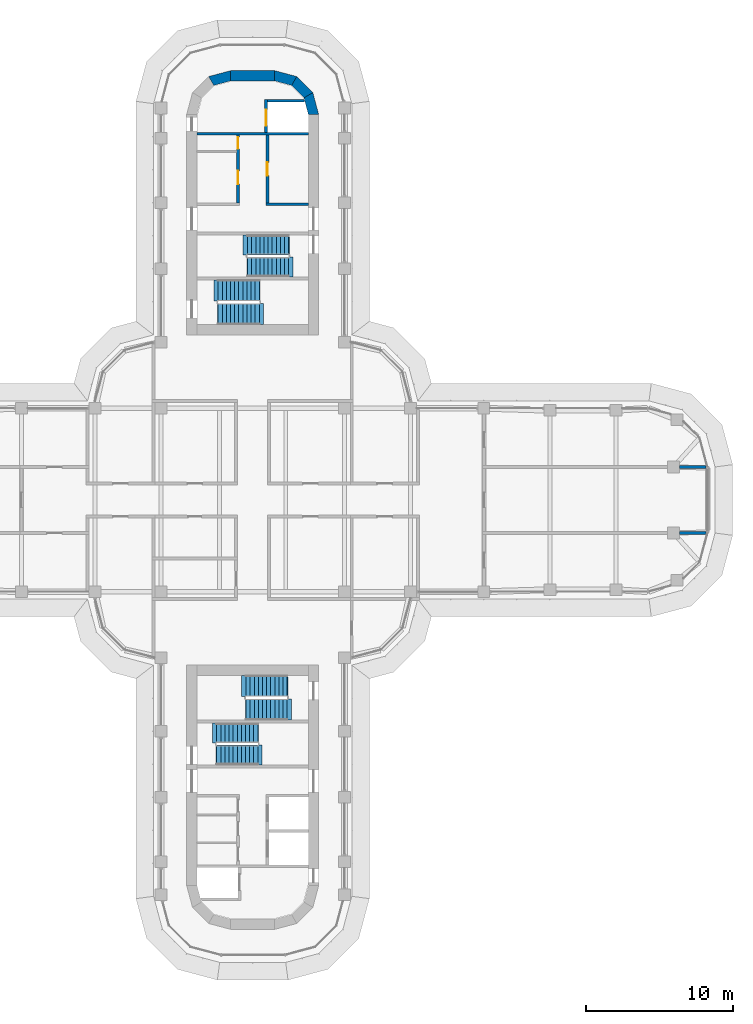
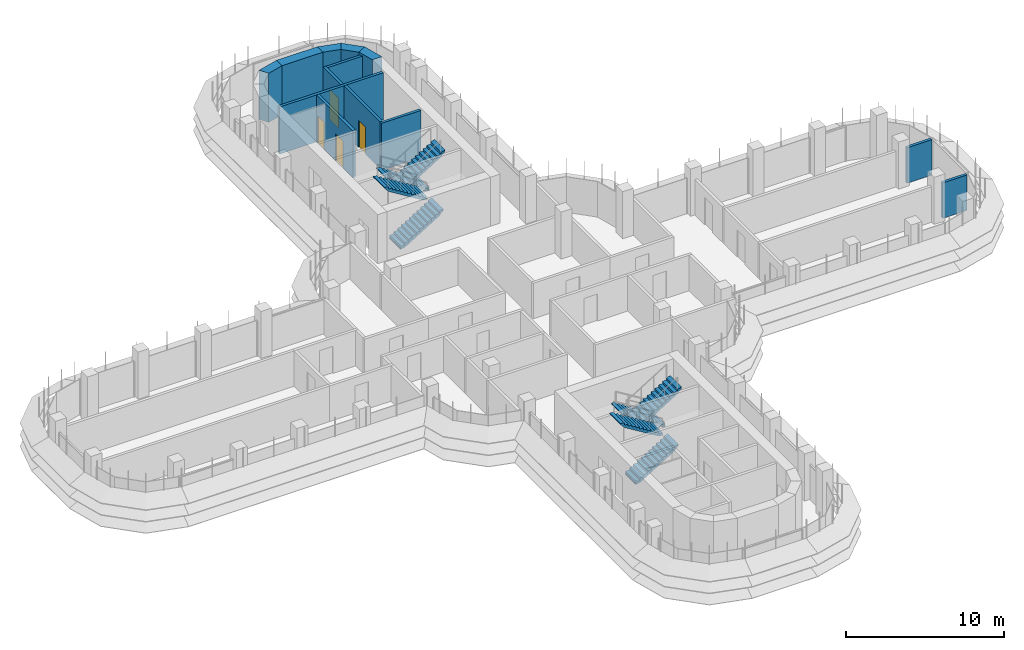
# One storey, part 15 of 19: 13 walls, 8 stair flights, 4 doors, 4 openings, 4 elements without a shape of their own.
"""IFC4 building model written with IfcOpenShell, lengths in metres."""

import ifcopenshell
import ifcopenshell.guid

model = None  # the IFC model being written
_history = None  # IfcOwnerHistory: only IFC2X3 demands one
_inside = {}  # id of a spatial element -> (the spatial element, [elements in it])
_under = {}  # id of a project, library or spatial element -> (it, [spatial elements below it])
_declared = {}  # id of a project -> (the project, [libraries it declares])
_typed = {}  # id of a type object -> (the type object, [elements of that type])
_made_of = {}  # id of a material, layer set ... -> (it, [elements and type objects made of it])


def new_model(schema):
    """Start an empty IFC model of exactly this schema.

    Asked for "IFC4X3", IfcOpenShell would pick the latest addendum, in which some entities
    have other attributes; the version numbers below select the first issue.
    IFC2X3 requires an IfcOwnerHistory on every rooted entity: one is made here for all.
    """
    global model, _history
    if schema == "IFC4X3":
        model = ifcopenshell.file(schema_version=(4, 3, 0, 0))
    else:
        model = ifcopenshell.file(schema=schema)
    _inside.clear()
    _under.clear()
    _declared.clear()
    _typed.clear()
    _made_of.clear()
    _history = None
    if model.schema == "IFC2X3":
        org = make("IfcOrganization", Name="unknown")
        user = make(
            "IfcPersonAndOrganization",
            ThePerson=make("IfcPerson", FamilyName="unknown"),
            TheOrganization=org,
        )
        app = make(
            "IfcApplication",
            ApplicationDeveloper=org,
            Version="unknown",
            ApplicationFullName="unknown",
            ApplicationIdentifier="unknown",
        )
        _history = make(
            "IfcOwnerHistory",
            OwningUser=user,
            OwningApplication=app,
            ChangeAction="ADDED",
            CreationDate=0,
        )
    return model


def make(cls, **values):
    """One entity of the class cls with the attributes given. An attribute that is None is left unset."""
    return model.create_entity(
        cls, **{name: value for name, value in values.items() if value is not None}
    )


def rooted(cls, **values):
    """An entity with a GlobalId (a new one), such as an element, a storey or a relation."""
    return make(cls, GlobalId=ifcopenshell.guid.new(), OwnerHistory=_history, **values)


def si_unit(unit_type, name, prefix=None):
    """IfcSIUnit, for example si_unit("LENGTHUNIT", "METRE", prefix="MILLI")."""
    return make("IfcSIUnit", UnitType=unit_type, Prefix=prefix, Name=name)


def assignment(units):
    """IfcUnitAssignment: the units of a project."""
    return None if units is None else make("IfcUnitAssignment", Units=units)


def point(xyz):
    """IfcCartesianPoint."""
    return None if xyz is None else make("IfcCartesianPoint", Coordinates=xyz)


def direction(xyz):
    """IfcDirection."""
    return None if xyz is None else make("IfcDirection", DirectionRatios=xyz)


def frame(location, z_axis=None, x_axis=None):
    """IfcAxis2Placement3D, a coordinate frame: its origin and axes. An axis left out is left unset."""
    return make(
        "IfcAxis2Placement3D",
        Location=point(location),
        Axis=direction(z_axis),
        RefDirection=direction(x_axis),
    )


def frame_2d(location, x_axis=None):
    """IfcAxis2Placement2D, a coordinate frame in the plane: its origin and x axis."""
    return make(
        "IfcAxis2Placement2D", Location=point(location), RefDirection=direction(x_axis)
    )


def origin():
    """The frame at (0, 0, 0) with its axes left unset."""
    return frame((0.0, 0.0, 0.0))


def place(relative_to, where):
    """IfcLocalPlacement: puts the frame where relative to a parent placement (None: the world)."""
    return make(
        "IfcLocalPlacement", PlacementRelTo=relative_to, RelativePlacement=where
    )


def context(
    kind, dimensions, precision=None, world=None, true_north=None, identifier=None
):
    """IfcGeometricRepresentationContext, for example the 3D "Model" context."""
    return make(
        "IfcGeometricRepresentationContext",
        ContextIdentifier=identifier,
        ContextType=kind,
        CoordinateSpaceDimension=dimensions,
        Precision=precision,
        WorldCoordinateSystem=world,
        TrueNorth=true_north,
    )


def subcontext(parent, identifier, kind, view, scale=None):
    """IfcGeometricRepresentationSubContext, for example "Body" below "Model"."""
    return make(
        "IfcGeometricRepresentationSubContext",
        ContextIdentifier=identifier,
        ContextType=kind,
        ParentContext=parent,
        TargetScale=scale,
        TargetView=view,
    )


def project(units=None, contexts=None):
    """IfcProject with its units and contexts."""
    return rooted(
        "IfcProject",
        Name="project",
        RepresentationContexts=contexts,
        UnitsInContext=assignment(units),
    )


def spatial(cls, under=None, at=None, **own):
    """A site, building, storey or space (cls), placed at a placement, below another one or the project."""
    s = rooted(cls, ObjectPlacement=at, **own)
    if under is not None:
        _under.setdefault(under.id(), (under, []))[1].append(s)
    return s


def polyline(points):
    """IfcPolyline through the points."""
    return make("IfcPolyline", Points=[point(p) for p in points])


def profile(cls, at=None, kind="AREA", **sizes):
    """A parametric profile (cls). Its sizes go by their IFC names, for example OverallWidth=200.0."""
    return make(cls, ProfileType=kind, Position=at, **sizes)


def rectangle(**sizes):
    """IfcRectangleProfileDef."""
    return profile("IfcRectangleProfileDef", **sizes)


def outline(outer, holes=None, kind="AREA"):
    """IfcArbitraryClosedProfileDef: a profile drawn as a closed curve; with holes, ...WithVoids."""
    if holes is None:
        return make("IfcArbitraryClosedProfileDef", ProfileType=kind, OuterCurve=outer)
    return make(
        "IfcArbitraryProfileDefWithVoids",
        ProfileType=kind,
        OuterCurve=outer,
        InnerCurves=holes,
    )


def extrude(swept, where, along, depth):
    """IfcExtrudedAreaSolid: the profile swept, set in the frame where, extruded along a direction by depth."""
    return make(
        "IfcExtrudedAreaSolid",
        SweptArea=swept,
        Position=where,
        ExtrudedDirection=direction(along),
        Depth=depth,
    )


def shape(context_of_items, identifier, shape_type, items):
    """IfcShapeRepresentation: the items that make up one representation, for example the "Body"."""
    return make(
        "IfcShapeRepresentation",
        ContextOfItems=context_of_items,
        RepresentationIdentifier=identifier,
        RepresentationType=shape_type,
        Items=items,
    )


def material(Name=None, Category=None):
    """IfcMaterial."""
    return make("IfcMaterial", Name=Name, Category=Category)


def layer(
    of_material, thickness, ventilated=None, Name=None, Category=None, Priority=None
):
    """IfcMaterialLayer: one layer of a wall or slab, of a material (None: an air gap)."""
    return make(
        "IfcMaterialLayer",
        Material=of_material,
        LayerThickness=thickness,
        IsVentilated=ventilated,
        Name=Name,
        Category=Category,
        Priority=Priority,
    )


def layer_set(layers, Name=None):
    """IfcMaterialLayerSet."""
    return make("IfcMaterialLayerSet", MaterialLayers=layers, LayerSetName=Name)


def made_of(thing, what):
    """Note that an element or type object is made of a material, layer set ...; save() writes the relation."""
    if what is not None:
        _made_of.setdefault(what.id(), (what, []))[1].append(thing)
    return thing


def type_object(cls, material=None, **own):
    """A type object (cls), such as IfcWallType, which elements share."""
    return made_of(rooted(cls, **own), material)


def element(
    cls,
    number,
    at=None,
    inside=None,
    cuts=None,
    type_object=None,
    material=None,
    context=None,
    identifier="Body",
    shape_type=None,
    held_by="IfcProductDefinitionShape",
    body=None,
    shapes=None,
    **own,
):
    """One element of the class cls, such as IfcWall. Its Tag is "e" and its number.

    at: its placement. inside: the storey or other place that contains it. cuts: it is an
    opening in that element (IfcRelVoidsElement). A single representation is given by context,
    identifier, shape_type and body (its items); several are given by shapes. held_by: the class
    of the entity that holds the representations. save() writes the other relations.
    """
    e = rooted(cls, Tag="e%d" % number, ObjectPlacement=at, **own)
    if body is not None:
        shapes = [shape(context, identifier, shape_type, body)]
    if shapes is not None:
        e.Representation = make(held_by, Representations=shapes)
    if inside is not None:
        _inside.setdefault(inside.id(), (inside, []))[1].append(e)
    if cuts is not None:
        rooted(
            "IfcRelVoidsElement", RelatingBuildingElement=cuts, RelatedOpeningElement=e
        )
    if type_object is not None:
        _typed.setdefault(type_object.id(), (type_object, []))[1].append(e)
    return made_of(e, material)


def fill(opening, filler):
    """IfcRelFillsElement: the door or window that sits in an opening."""
    return rooted(
        "IfcRelFillsElement",
        RelatingOpeningElement=opening,
        RelatedBuildingElement=filler,
    )


def aggregate(whole, parts):
    """IfcRelAggregates: a whole, such as a stair, and the parts it consists of."""
    return rooted("IfcRelAggregates", RelatingObject=whole, RelatedObjects=parts)


def save(model, path):
    """Write the relations noted so far, then the file.

    IfcRelAggregates (storeys below a building ...), IfcRelContainedInSpatialStructure (elements
    in a storey), IfcRelDefinesByType, IfcRelAssociatesMaterial and IfcRelDeclares: one each for
    every whole, place, type object, material and project.
    """
    for whole, parts in _under.values():
        aggregate(whole, parts)
    for where, things in _inside.values():
        rooted(
            "IfcRelContainedInSpatialStructure",
            RelatedElements=things,
            RelatingStructure=where,
        )
    for kind, things in _typed.values():
        rooted("IfcRelDefinesByType", RelatedObjects=things, RelatingType=kind)
    for what, things in _made_of.values():
        rooted("IfcRelAssociatesMaterial", RelatedObjects=things, RelatingMaterial=what)
    for by, libraries in _declared.values():
        rooted("IfcRelDeclares", RelatingContext=by, RelatedDefinitions=libraries)
    model.write(path)


model = new_model("IFC4")

# Units and contexts
model_context = context("Model", 3, precision=1e-05, world=origin(), true_north=direction((0.0, 1.0)))
body_context = subcontext(model_context, "Body", "Model", "MODEL_VIEW")
ifc_project = project(units=[si_unit("LENGTHUNIT", "METRE"), si_unit("AREAUNIT", "SQUARE_METRE"), si_unit("VOLUMEUNIT", "CUBIC_METRE"), si_unit("PLANEANGLEUNIT", "RADIAN"), si_unit("MASSUNIT", "GRAM", prefix="KILO")], contexts=[model_context])

# Site, building, storey
site_placement = place(None, origin())
site = spatial("IfcSite", under=ifc_project, at=site_placement, CompositionType="ELEMENT")
building_placement = place(site_placement, origin())
building = spatial("IfcBuilding", under=site, at=building_placement, Name="Zarbagh Exchange Tower", CompositionType="ELEMENT")
storey_placement = place(building_placement, frame((0.0, 0.0, 171.39990234375)))
storey = spatial("IfcBuildingStorey", under=building, at=storey_placement, Name="L41", CompositionType="ELEMENT", Elevation=171.39990234375)

# Walls
ifc_material_1 = material(Name="Fire-rated plasterboard partition")
ifc_layer_1 = layer(ifc_material_1, 0.199951171875)
ifc_layer_set_1 = layer_set([ifc_layer_1], Name="RATED PARTITION 200")
wall_type_1 = type_object("IfcWallType", Name="RATED PARTITION 200", PredefinedType="PARTITIONING", material=ifc_layer_set_1)
for number, where, z_axis, x_axis, name in (
    (1, (29.070068359375, -2.25, 0.0), (0.0, 0.0, 1.0), (1.0, 0.0, 0.0), "Partition W-1839"),
    (2, (29.070068359375, 2.25, 0.0), (0.0, 0.0, 1.0), (1.0, 0.0, 0.0), "Partition W-1841"),
):
    element("IfcWall", number, at=place(storey_placement, frame(where, z_axis=z_axis, x_axis=x_axis)), inside=storey, type_object=wall_type_1, Name=name, PredefinedType="PARTITIONING", context=body_context, shape_type="SweptSolid", body=[
        extrude(rectangle(XDim=1.809814453125, YDim=0.199951171875, at=frame_2d((0.90478515625, 0.0))), origin(), (0.0, 0.0, 1.0), 2.75),
    ])
ifc_material_2 = material(Name="Concrete C50/60", Category="concrete")
ifc_layer_2 = layer(ifc_material_2, 0.699951171875)
ifc_layer_set_2 = layer_set([ifc_layer_2], Name="RC core corner wall 700 C50/60")
wall_type_2 = type_object("IfcWallType", Name="RC core corner wall 700 C50/60", PredefinedType="SHEAR", material=ifc_layer_set_2)
wall_1_placement = place(storey_placement, origin())
element("IfcWall", 3, at=wall_1_placement, inside=storey, type_object=wall_type_2, Name="CW6 core N corner W", PredefinedType="SHEAR", context=body_context, shape_type="SweptSolid", body=[
    extrude(outline(polyline([(-3.0, 28.84814453125), (-1.5, 29.25), (-1.5, 28.550048828125), (-2.64990234375, 28.241943359375), (-3.0, 28.84814453125)])), origin(), (0.0, 0.0, 1.0), 3.800048828125),
])
wall_2_placement = place(storey_placement, origin())
element("IfcWall", 4, at=wall_2_placement, inside=storey, type_object=wall_type_2, Name="CW6 core N corner E", PredefinedType="SHEAR", context=body_context, shape_type="SweptSolid", body=[
    extrude(outline(polyline([(4.5, 26.25), (4.09814453125, 27.75), (3.491943359375, 27.39990234375), (3.800048828125, 26.25), (4.5, 26.25)])), origin(), (0.0, 0.0, 1.0), 3.800048828125),
])
wall_3_placement = place(storey_placement, origin())
element("IfcWall", 5, at=wall_3_placement, inside=storey, type_object=wall_type_2, Name="CW6 core N corner E", PredefinedType="SHEAR", context=body_context, shape_type="SweptSolid", body=[
    extrude(outline(polyline([(4.09814453125, 27.75), (3.0, 28.84814453125), (2.64990234375, 28.241943359375), (3.491943359375, 27.39990234375), (4.09814453125, 27.75)])), origin(), (0.0, 0.0, 1.0), 3.800048828125),
])
wall_4_placement = place(storey_placement, origin())
element("IfcWall", 6, at=wall_4_placement, inside=storey, type_object=wall_type_2, Name="CW6 core N corner E", PredefinedType="SHEAR", context=body_context, shape_type="SweptSolid", body=[
    extrude(outline(polyline([(3.0, 28.84814453125), (1.5, 29.25), (1.5, 28.550048828125), (2.64990234375, 28.241943359375), (3.0, 28.84814453125)])), origin(), (0.0, 0.0, 1.0), 3.800048828125),
])
ifc_layer_3 = layer(ifc_material_2, 0.699951171875)
ifc_layer_set_3 = layer_set([ifc_layer_3], Name="RC core wall 700 C50/60")
wall_type_3 = type_object("IfcWallType", Name="RC core wall 700 C50/60", PredefinedType="SHEAR", material=ifc_layer_set_3)
wall_5_placement = place(storey_placement, frame((-1.5, 28.89990234375, 0.0), z_axis=(0.0, 0.0, 1.0), x_axis=(1.0, 0.0, 0.0)))
element("IfcWall", 7, at=wall_5_placement, inside=storey, type_object=wall_type_3, Name="CW5 core N outer end", PredefinedType="SHEAR", context=body_context, shape_type="SweptSolid", body=[
    extrude(rectangle(XDim=3.0, YDim=0.699951171875, at=frame_2d((1.5, 0.0))), origin(), (0.0, 0.0, 1.0), 3.800048828125),
])

# Wall, openings, doors
ifc_material_3 = material(Name="Dense blockwork", Category="masonry")
ifc_layer_4 = layer(ifc_material_3, 0.199951171875)
ifc_layer_set_4 = layer_set([ifc_layer_4], Name="Shaft wall 200 mm blockwork")
wall_type_4 = type_object("IfcWallType", Name="Shaft wall 200 mm blockwork", PredefinedType="PARTITIONING", material=ifc_layer_set_4)
wall_6_placement = place(storey_placement, frame((-1.0, 24.85009765625, 0.0), z_axis=(0.0, 0.0, 1.0), x_axis=(0.0, -1.0, 0.0)))
wall_6 = element("IfcWall", 8, at=wall_6_placement, inside=storey, type_object=wall_type_4, Name="North core shaft wall LW-W", PredefinedType="PARTITIONING", context=body_context, shape_type="SweptSolid", body=[
    extrude(rectangle(XDim=4.60009765625, YDim=0.199951171875, at=frame_2d((2.300048828125, 0.0))), origin(), (0.0, 0.0, 1.0), 3.650146484375),
])
opening_1_placement = place(wall_6_placement, frame((0.125, 0.0, 0.0)))
opening_1 = element("IfcOpeningElement", 9, at=opening_1_placement, cuts=wall_6, Name="Opening CD3-800", PredefinedType="OPENING", context=body_context, shape_type="SweptSolid", body=[
    extrude(rectangle(XDim=0.800048828125, YDim=2.10009765625, at=frame_2d((0.39990234375, 1.050048828125))), frame((0.0, 0.10986328125, 0.0), z_axis=(0.0, -1.0, 0.0), x_axis=(1.0, 0.0, 0.0)), (0.0, 0.0, 1.0), 0.219970703125),
])
opening_2_placement = place(wall_6_placement, frame((2.425048828125, 0.0, 0.0)))
opening_2 = element("IfcOpeningElement", 10, at=opening_2_placement, cuts=wall_6, Name="Opening CD3-900", PredefinedType="OPENING", context=body_context, shape_type="SweptSolid", body=[
    extrude(rectangle(XDim=0.89990234375, YDim=2.10009765625, at=frame_2d((0.449951171875, 1.050048828125))), frame((0.0, 0.10986328125, 0.0), z_axis=(0.0, -1.0, 0.0), x_axis=(1.0, 0.0, 0.0)), (0.0, 0.0, 1.0), 0.219970703125),
])
ifc_material_4 = material(Name="Steel", Category="steel")
door_type_1 = type_object("IfcDoorType", Name="Core room door 800 x 2100", OperationType="NOTDEFINED", PredefinedType="DOOR", material=ifc_material_4)
door_1_placement = place(opening_1_placement, origin())
door_1 = element("IfcDoor", 11, at=door_1_placement, inside=storey, type_object=door_type_1, Name="North core Store door RD-W-0", OperationType="SINGLE_SWING_LEFT", OverallHeight=2.10009765625, OverallWidth=0.800048828125, PredefinedType="DOOR", context=body_context, shape_type="SweptSolid", body=[
    extrude(rectangle(XDim=0.800048828125, YDim=2.10009765625, at=frame_2d((0.39990234375, 1.050048828125))), frame((0.0, 0.02490234375, 0.0), z_axis=(0.0, -1.0, 0.0), x_axis=(1.0, 0.0, 0.0)), (0.0, 0.0, 1.0), 0.050048828125),
])
fill(opening_1, door_1)
door_type_2 = type_object("IfcDoorType", Name="Core room door 900 x 2100", OperationType="NOTDEFINED", PredefinedType="DOOR", material=ifc_material_4)
door_2_placement = place(opening_2_placement, origin())
door_2 = element("IfcDoor", 12, at=door_2_placement, inside=storey, type_object=door_type_2, Name="North core Accessible WC door RD-W-1", OperationType="SINGLE_SWING_RIGHT", OverallHeight=2.10009765625, OverallWidth=0.89990234375, PredefinedType="DOOR", context=body_context, shape_type="SweptSolid", body=[
    extrude(rectangle(XDim=0.89990234375, YDim=2.10009765625, at=frame_2d((0.449951171875, 1.050048828125))), frame((0.0, 0.02490234375, 0.0), z_axis=(0.0, -1.0, 0.0), x_axis=(1.0, 0.0, 0.0)), (0.0, 0.0, 1.0), 0.050048828125),
])
fill(opening_2, door_2)

# Wall
wall_7_placement = place(storey_placement, frame((0.89990234375, 20.14990234375, 0.0), z_axis=(0.0, 0.0, 1.0), x_axis=(1.0, 0.0, 0.0)))
element("IfcWall", 13, at=wall_7_placement, inside=storey, type_object=wall_type_4, Name="North core shaft wall AB-E", PredefinedType="PARTITIONING", context=body_context, shape_type="SweptSolid", body=[
    extrude(rectangle(XDim=2.900146484375, YDim=0.199951171875, at=frame_2d((1.4501953125, 0.0))), origin(), (0.0, 0.0, 1.0), 3.650146484375),
])

# Wall, opening, door
wall_8_placement = place(storey_placement, frame((1.0, 24.85009765625, 0.0), z_axis=(0.0, 0.0, 1.0), x_axis=(0.0, -1.0, 0.0)))
wall_8 = element("IfcWall", 14, at=wall_8_placement, inside=storey, type_object=wall_type_4, Name="North core shaft wall LW-E", PredefinedType="PARTITIONING", context=body_context, shape_type="SweptSolid", body=[
    extrude(rectangle(XDim=4.60009765625, YDim=0.199951171875, at=frame_2d((2.300048828125, 0.0))), origin(), (0.0, 0.0, 1.0), 3.650146484375),
])
opening_3_placement = place(wall_8_placement, frame((1.85009765625, 0.0, 0.0)))
opening_3 = element("IfcOpeningElement", 15, at=opening_3_placement, cuts=wall_8, Name="Opening CD3-900", PredefinedType="OPENING", context=body_context, shape_type="SweptSolid", body=[
    extrude(rectangle(XDim=0.89990234375, YDim=2.10009765625, at=frame_2d((0.449951171875, 1.050048828125))), frame((0.0, 0.10986328125, 0.0), z_axis=(0.0, -1.0, 0.0), x_axis=(1.0, 0.0, 0.0)), (0.0, 0.0, 1.0), 0.219970703125),
])
door_3_placement = place(opening_3_placement, origin())
door_3 = element("IfcDoor", 16, at=door_3_placement, inside=storey, type_object=door_type_2, Name="North core Riser store door RD-E-0", OperationType="SINGLE_SWING_RIGHT", OverallHeight=2.10009765625, OverallWidth=0.89990234375, PredefinedType="DOOR", context=body_context, shape_type="SweptSolid", body=[
    extrude(rectangle(XDim=0.89990234375, YDim=2.10009765625, at=frame_2d((0.449951171875, 1.050048828125))), frame((0.0, 0.02490234375, 0.0), z_axis=(0.0, -1.0, 0.0), x_axis=(1.0, 0.0, 0.0)), (0.0, 0.0, 1.0), 0.050048828125),
])
fill(opening_3, door_3)

# Wall
ifc_material_5 = material(Name="Concrete C40/50", Category="concrete")
ifc_layer_5 = layer(ifc_material_5, 0.199951171875)
ifc_layer_set_5 = layer_set([ifc_layer_5], Name="Stair enclosure wall 200 mm RC C40/50")
wall_type_5 = type_object("IfcWallType", Name="Stair enclosure wall 200 mm RC C40/50", PredefinedType="SHEAR", material=ifc_layer_set_5)
wall_9_placement = place(storey_placement, frame((-3.800048828125, 24.949951171875, 0.0), z_axis=(0.0, 0.0, 1.0), x_axis=(1.0, 0.0, 0.0)))
element("IfcWall", 17, at=wall_9_placement, inside=storey, type_object=wall_type_5, Name="North core lift shaft wall FFA", PredefinedType="SHEAR", context=body_context, shape_type="SweptSolid", body=[
    extrude(rectangle(XDim=7.60009765625, YDim=0.199951171875, at=frame_2d((3.800048828125, 0.0))), origin(), (0.0, 0.0, 1.0), 3.650146484375),
])

# Wall, opening, door
wall_10_placement = place(storey_placement, frame((0.89990234375, 27.300048828125, 0.0), z_axis=(0.0, 0.0, 1.0), x_axis=(0.0, -1.0, 0.0)))
wall_10 = element("IfcWall", 18, at=wall_10_placement, inside=storey, type_object=wall_type_5, Name="North core lift shaft wall FFL", PredefinedType="SHEAR", context=body_context, shape_type="SweptSolid", body=[
    extrude(rectangle(XDim=2.25, YDim=0.199951171875, at=frame_2d((1.125, 0.0))), origin(), (0.0, 0.0, 1.0), 3.650146484375),
])
opening_4_placement = place(wall_10_placement, frame((0.699951171875, 0.0, 0.0)))
opening_4 = element("IfcOpeningElement", 19, at=opening_4_placement, cuts=wall_10, Name="Opening LD-1100", PredefinedType="OPENING", context=body_context, shape_type="SweptSolid", body=[
    extrude(rectangle(XDim=1.10009765625, YDim=2.300048828125, at=frame_2d((0.550048828125, 1.14990234375))), frame((0.0, 0.10986328125, 0.0), z_axis=(0.0, -1.0, 0.0), x_axis=(1.0, 0.0, 0.0)), (0.0, 0.0, 1.0), 0.219970703125),
])
ifc_material_6 = material(Name="Stainless steel", Category="steel")
door_type_3 = type_object("IfcDoorType", Name="Lift landing door 1100 x 2300", OperationType="NOTDEFINED", PredefinedType="DOOR", material=ifc_material_6)
door_4_placement = place(opening_4_placement, origin())
door_4 = element("IfcDoor", 20, at=door_4_placement, inside=storey, type_object=door_type_3, Name="North core lift landing door LD-F", OperationType="DOUBLE_DOOR_SLIDING", OverallHeight=2.300048828125, OverallWidth=1.10009765625, PredefinedType="DOOR", context=body_context, shape_type="SweptSolid", body=[
    extrude(rectangle(XDim=1.10009765625, YDim=2.300048828125, at=frame_2d((0.550048828125, 1.14990234375))), frame((0.0, 0.02490234375, 0.0), z_axis=(0.0, -1.0, 0.0), x_axis=(1.0, 0.0, 0.0)), (0.0, 0.0, 1.0), 0.050048828125),
])
fill(opening_4, door_4)

# Wall
wall_11_placement = place(storey_placement, origin())
element("IfcWall", 21, at=wall_11_placement, inside=storey, type_object=wall_type_5, Name="North core lift shaft wall FFX", PredefinedType="SHEAR", context=body_context, shape_type="SweptSolid", body=[
    extrude(outline(polyline([(1.0, 27.10009765625), (3.547607421875, 27.10009765625), (3.493896484375, 27.300048828125), (1.0, 27.300048828125), (1.0, 27.10009765625)])), origin(), (0.0, 0.0, 1.0), 3.650146484375),
])

# Stair, stair flights
stair_type = type_object("IfcStairType", Name="Exit stair two-flight half-turn", PredefinedType="HALF_TURN_STAIR", material=ifc_material_5)
stair_1_placement = place(storey_placement, origin())
stair_1 = element("IfcStair", 22, at=stair_1_placement, inside=storey, type_object=stair_type, Name="exit stair ST1", PredefinedType="HALF_TURN_STAIR")
stair_flight_type_1 = type_object("IfcStairFlightType", Name="Stair flight 1350 mm", PredefinedType="STRAIGHT", material=ifc_material_5)
stair_flight_1_placement = place(storey_placement, frame((2.449951171875, 17.375, 0.0), z_axis=(0.0, 0.0, 1.0), x_axis=(-1.0, 0.0, 0.0)))
stair_flight_1 = element("IfcStairFlight", 23, at=stair_flight_1_placement, type_object=stair_flight_type_1, Name="ST1 flight 1", NumberOfRisers=11, NumberOfTreads=10, PredefinedType="STRAIGHT", RiserHeight=0.172727273, TreadLength=0.28, context=body_context, shape_type="SweptSolid", body=[
    extrude(outline(polyline([(-0.050048828125, -0.050048828125), (-0.050048828125, 0.0), (0.0, 0.0), (0.0, 0.172607421875), (0.280029296875, 0.172607421875), (0.280029296875, 0.345458984375), (0.56005859375, 0.345458984375), (0.56005859375, 0.51806640625), (0.840087890625, 0.51806640625), (0.840087890625, 0.69091796875), (1.1201171875, 0.69091796875), (1.1201171875, 0.863525390625), (1.39990234375, 0.863525390625), (1.39990234375, 1.036376953125), (1.679931640625, 1.036376953125), (1.679931640625, 1.208984375), (1.9599609375, 1.208984375), (1.9599609375, 1.3818359375), (2.239990234375, 1.3818359375), (2.239990234375, 1.554443359375), (2.52001953125, 1.554443359375), (2.52001953125, 1.727294921875), (2.800048828125, 1.727294921875), (2.800048828125, 1.89990234375), (3.10009765625, 1.97998046875), (3.10009765625, 1.89990234375), (2.800048828125, 1.551025390625), (0.285400390625, 0.0), (-0.050048828125, -0.050048828125)])), frame((0.0, 0.675048828125, 0.0), z_axis=(0.0, -1.0, 0.0), x_axis=(1.0, 0.0, 0.0)), (0.0, 0.0, 1.0), 1.35009765625),
])
stair_flight_2_placement = place(storey_placement, frame((-0.35009765625, 15.875, 1.900146484375), z_axis=(0.0, 0.0, 1.0), x_axis=(1.0, 0.0, 0.0)))
stair_flight_2 = element("IfcStairFlight", 24, at=stair_flight_2_placement, type_object=stair_flight_type_1, Name="ST1 flight 2", NumberOfRisers=11, NumberOfTreads=10, PredefinedType="STRAIGHT", RiserHeight=0.172727273, TreadLength=0.28, context=body_context, shape_type="SweptSolid", body=[
    extrude(outline(polyline([(-0.050048828125, -0.050048828125), (-0.050048828125, 0.0), (0.0, 0.0), (0.0, 0.172607421875), (0.280029296875, 0.172607421875), (0.280029296875, 0.345458984375), (0.56005859375, 0.345458984375), (0.56005859375, 0.51806640625), (0.840087890625, 0.51806640625), (0.840087890625, 0.69091796875), (1.1201171875, 0.69091796875), (1.1201171875, 0.863525390625), (1.39990234375, 0.863525390625), (1.39990234375, 1.036376953125), (1.679931640625, 1.036376953125), (1.679931640625, 1.208984375), (1.9599609375, 1.208984375), (1.9599609375, 1.3818359375), (2.239990234375, 1.3818359375), (2.239990234375, 1.554443359375), (2.52001953125, 1.554443359375), (2.52001953125, 1.727294921875), (2.800048828125, 1.727294921875), (2.800048828125, 1.89990234375), (3.10009765625, 1.97998046875), (3.10009765625, 1.89990234375), (2.800048828125, 1.551025390625), (0.285400390625, 0.0), (-0.050048828125, -0.050048828125)])), frame((0.0, 0.675048828125, 0.0), z_axis=(0.0, -1.0, 0.0), x_axis=(1.0, 0.0, 0.0)), (0.0, 0.0, 1.0), 1.35009765625),
])
aggregate(stair_1, [stair_flight_1, stair_flight_2])

stair_2_placement = place(storey_placement, origin())
stair_2 = element("IfcStair", 25, at=stair_2_placement, inside=storey, type_object=stair_type, Name="exit stair ST3", PredefinedType="HALF_TURN_STAIR")
stair_flight_3_placement = place(storey_placement, frame((-2.449951171875, -17.375, 0.0), z_axis=(0.0, 0.0, 1.0), x_axis=(1.0, 0.0, 0.0)))
stair_flight_3 = element("IfcStairFlight", 26, at=stair_flight_3_placement, type_object=stair_flight_type_1, Name="ST3 flight 1", NumberOfRisers=11, NumberOfTreads=10, PredefinedType="STRAIGHT", RiserHeight=0.172727273, TreadLength=0.28, context=body_context, shape_type="SweptSolid", body=[
    extrude(outline(polyline([(-0.050048828125, -0.050048828125), (-0.050048828125, 0.0), (0.0, 0.0), (0.0, 0.172607421875), (0.280029296875, 0.172607421875), (0.280029296875, 0.345458984375), (0.56005859375, 0.345458984375), (0.56005859375, 0.51806640625), (0.840087890625, 0.51806640625), (0.840087890625, 0.69091796875), (1.1201171875, 0.69091796875), (1.1201171875, 0.863525390625), (1.39990234375, 0.863525390625), (1.39990234375, 1.036376953125), (1.679931640625, 1.036376953125), (1.679931640625, 1.208984375), (1.9599609375, 1.208984375), (1.9599609375, 1.3818359375), (2.239990234375, 1.3818359375), (2.239990234375, 1.554443359375), (2.52001953125, 1.554443359375), (2.52001953125, 1.727294921875), (2.800048828125, 1.727294921875), (2.800048828125, 1.89990234375), (3.10009765625, 1.97998046875), (3.10009765625, 1.89990234375), (2.800048828125, 1.551025390625), (0.285400390625, 0.0), (-0.050048828125, -0.050048828125)])), frame((0.0, 0.675048828125, 0.0), z_axis=(0.0, -1.0, 0.0), x_axis=(1.0, 0.0, 0.0)), (0.0, 0.0, 1.0), 1.35009765625),
])
stair_flight_4_placement = place(storey_placement, frame((0.35009765625, -15.875, 1.900146484375), z_axis=(0.0, 0.0, 1.0), x_axis=(-1.0, 0.0, 0.0)))
stair_flight_4 = element("IfcStairFlight", 27, at=stair_flight_4_placement, type_object=stair_flight_type_1, Name="ST3 flight 2", NumberOfRisers=11, NumberOfTreads=10, PredefinedType="STRAIGHT", RiserHeight=0.172727273, TreadLength=0.28, context=body_context, shape_type="SweptSolid", body=[
    extrude(outline(polyline([(-0.050048828125, -0.050048828125), (-0.050048828125, 0.0), (0.0, 0.0), (0.0, 0.172607421875), (0.280029296875, 0.172607421875), (0.280029296875, 0.345458984375), (0.56005859375, 0.345458984375), (0.56005859375, 0.51806640625), (0.840087890625, 0.51806640625), (0.840087890625, 0.69091796875), (1.1201171875, 0.69091796875), (1.1201171875, 0.863525390625), (1.39990234375, 0.863525390625), (1.39990234375, 1.036376953125), (1.679931640625, 1.036376953125), (1.679931640625, 1.208984375), (1.9599609375, 1.208984375), (1.9599609375, 1.3818359375), (2.239990234375, 1.3818359375), (2.239990234375, 1.554443359375), (2.52001953125, 1.554443359375), (2.52001953125, 1.727294921875), (2.800048828125, 1.727294921875), (2.800048828125, 1.89990234375), (3.10009765625, 1.97998046875), (3.10009765625, 1.89990234375), (2.800048828125, 1.551025390625), (0.285400390625, 0.0), (-0.050048828125, -0.050048828125)])), frame((0.0, 0.675048828125, 0.0), z_axis=(0.0, -1.0, 0.0), x_axis=(1.0, 0.0, 0.0)), (0.0, 0.0, 1.0), 1.35009765625),
])
aggregate(stair_2, [stair_flight_3, stair_flight_4])

stair_3_placement = place(storey_placement, origin())
stair_3 = element("IfcStair", 28, at=stair_3_placement, inside=storey, type_object=stair_type, Name="exit stair ST2", PredefinedType="HALF_TURN_STAIR")
stair_flight_type_2 = type_object("IfcStairFlightType", Name="Stair flight 1450 mm", PredefinedType="STRAIGHT", material=ifc_material_5)
stair_flight_5_placement = place(storey_placement, frame((-2.35009765625, 12.675048828125, 0.0), z_axis=(0.0, 0.0, 1.0), x_axis=(1.0, 0.0, 0.0)))
stair_flight_5 = element("IfcStairFlight", 29, at=stair_flight_5_placement, type_object=stair_flight_type_2, Name="ST2 flight 1", NumberOfRisers=11, NumberOfTreads=10, PredefinedType="STRAIGHT", RiserHeight=0.172727273, TreadLength=0.28, context=body_context, shape_type="SweptSolid", body=[
    extrude(outline(polyline([(-0.050048828125, -0.050048828125), (-0.050048828125, 0.0), (0.0, 0.0), (0.0, 0.172607421875), (0.280029296875, 0.172607421875), (0.280029296875, 0.345458984375), (0.56005859375, 0.345458984375), (0.56005859375, 0.51806640625), (0.840087890625, 0.51806640625), (0.840087890625, 0.69091796875), (1.1201171875, 0.69091796875), (1.1201171875, 0.863525390625), (1.39990234375, 0.863525390625), (1.39990234375, 1.036376953125), (1.679931640625, 1.036376953125), (1.679931640625, 1.208984375), (1.9599609375, 1.208984375), (1.9599609375, 1.3818359375), (2.239990234375, 1.3818359375), (2.239990234375, 1.554443359375), (2.52001953125, 1.554443359375), (2.52001953125, 1.727294921875), (2.800048828125, 1.727294921875), (2.800048828125, 1.89990234375), (3.10009765625, 1.97998046875), (3.10009765625, 1.89990234375), (2.800048828125, 1.551025390625), (0.285400390625, 0.0), (-0.050048828125, -0.050048828125)])), frame((0.0, 0.72509765625, 0.0), z_axis=(0.0, -1.0, 0.0), x_axis=(1.0, 0.0, 0.0)), (0.0, 0.0, 1.0), 1.449951171875),
])
stair_flight_6_placement = place(storey_placement, frame((0.449951171875, 14.27490234375, 1.900146484375), z_axis=(0.0, 0.0, 1.0), x_axis=(-1.0, 0.0, 0.0)))
stair_flight_6 = element("IfcStairFlight", 30, at=stair_flight_6_placement, type_object=stair_flight_type_2, Name="ST2 flight 2", NumberOfRisers=11, NumberOfTreads=10, PredefinedType="STRAIGHT", RiserHeight=0.172727273, TreadLength=0.28, context=body_context, shape_type="SweptSolid", body=[
    extrude(outline(polyline([(-0.050048828125, -0.050048828125), (-0.050048828125, 0.0), (0.0, 0.0), (0.0, 0.172607421875), (0.280029296875, 0.172607421875), (0.280029296875, 0.345458984375), (0.56005859375, 0.345458984375), (0.56005859375, 0.51806640625), (0.840087890625, 0.51806640625), (0.840087890625, 0.69091796875), (1.1201171875, 0.69091796875), (1.1201171875, 0.863525390625), (1.39990234375, 0.863525390625), (1.39990234375, 1.036376953125), (1.679931640625, 1.036376953125), (1.679931640625, 1.208984375), (1.9599609375, 1.208984375), (1.9599609375, 1.3818359375), (2.239990234375, 1.3818359375), (2.239990234375, 1.554443359375), (2.52001953125, 1.554443359375), (2.52001953125, 1.727294921875), (2.800048828125, 1.727294921875), (2.800048828125, 1.89990234375), (3.10009765625, 1.97998046875), (3.10009765625, 1.89990234375), (2.800048828125, 1.551025390625), (0.285400390625, 0.0), (-0.050048828125, -0.050048828125)])), frame((0.0, 0.72509765625, 0.0), z_axis=(0.0, -1.0, 0.0), x_axis=(1.0, 0.0, 0.0)), (0.0, 0.0, 1.0), 1.449951171875),
])
aggregate(stair_3, [stair_flight_5, stair_flight_6])

stair_4_placement = place(storey_placement, origin())
stair_4 = element("IfcStair", 31, at=stair_4_placement, inside=storey, type_object=stair_type, Name="exit stair ST4", PredefinedType="HALF_TURN_STAIR")
stair_flight_7_placement = place(storey_placement, frame((2.35009765625, -12.675048828125, 0.0), z_axis=(0.0, 0.0, 1.0), x_axis=(-1.0, 0.0, 0.0)))
stair_flight_7 = element("IfcStairFlight", 32, at=stair_flight_7_placement, type_object=stair_flight_type_2, Name="ST4 flight 1", NumberOfRisers=11, NumberOfTreads=10, PredefinedType="STRAIGHT", RiserHeight=0.172727273, TreadLength=0.28, context=body_context, shape_type="SweptSolid", body=[
    extrude(outline(polyline([(-0.050048828125, -0.050048828125), (-0.050048828125, 0.0), (0.0, 0.0), (0.0, 0.172607421875), (0.280029296875, 0.172607421875), (0.280029296875, 0.345458984375), (0.56005859375, 0.345458984375), (0.56005859375, 0.51806640625), (0.840087890625, 0.51806640625), (0.840087890625, 0.69091796875), (1.1201171875, 0.69091796875), (1.1201171875, 0.863525390625), (1.39990234375, 0.863525390625), (1.39990234375, 1.036376953125), (1.679931640625, 1.036376953125), (1.679931640625, 1.208984375), (1.9599609375, 1.208984375), (1.9599609375, 1.3818359375), (2.239990234375, 1.3818359375), (2.239990234375, 1.554443359375), (2.52001953125, 1.554443359375), (2.52001953125, 1.727294921875), (2.800048828125, 1.727294921875), (2.800048828125, 1.89990234375), (3.10009765625, 1.97998046875), (3.10009765625, 1.89990234375), (2.800048828125, 1.551025390625), (0.285400390625, 0.0), (-0.050048828125, -0.050048828125)])), frame((0.0, 0.72509765625, 0.0), z_axis=(0.0, -1.0, 0.0), x_axis=(1.0, 0.0, 0.0)), (0.0, 0.0, 1.0), 1.449951171875),
])
stair_flight_8_placement = place(storey_placement, frame((-0.449951171875, -14.27490234375, 1.900146484375), z_axis=(0.0, 0.0, 1.0), x_axis=(1.0, 0.0, 0.0)))
stair_flight_8 = element("IfcStairFlight", 33, at=stair_flight_8_placement, type_object=stair_flight_type_2, Name="ST4 flight 2", NumberOfRisers=11, NumberOfTreads=10, PredefinedType="STRAIGHT", RiserHeight=0.172727273, TreadLength=0.28, context=body_context, shape_type="SweptSolid", body=[
    extrude(outline(polyline([(-0.050048828125, -0.050048828125), (-0.050048828125, 0.0), (0.0, 0.0), (0.0, 0.172607421875), (0.280029296875, 0.172607421875), (0.280029296875, 0.345458984375), (0.56005859375, 0.345458984375), (0.56005859375, 0.51806640625), (0.840087890625, 0.51806640625), (0.840087890625, 0.69091796875), (1.1201171875, 0.69091796875), (1.1201171875, 0.863525390625), (1.39990234375, 0.863525390625), (1.39990234375, 1.036376953125), (1.679931640625, 1.036376953125), (1.679931640625, 1.208984375), (1.9599609375, 1.208984375), (1.9599609375, 1.3818359375), (2.239990234375, 1.3818359375), (2.239990234375, 1.554443359375), (2.52001953125, 1.554443359375), (2.52001953125, 1.727294921875), (2.800048828125, 1.727294921875), (2.800048828125, 1.89990234375), (3.10009765625, 1.97998046875), (3.10009765625, 1.89990234375), (2.800048828125, 1.551025390625), (0.285400390625, 0.0), (-0.050048828125, -0.050048828125)])), frame((0.0, 0.72509765625, 0.0), z_axis=(0.0, -1.0, 0.0), x_axis=(1.0, 0.0, 0.0)), (0.0, 0.0, 1.0), 1.449951171875),
])
aggregate(stair_4, [stair_flight_7, stair_flight_8])

save(model, "model.ifc")
